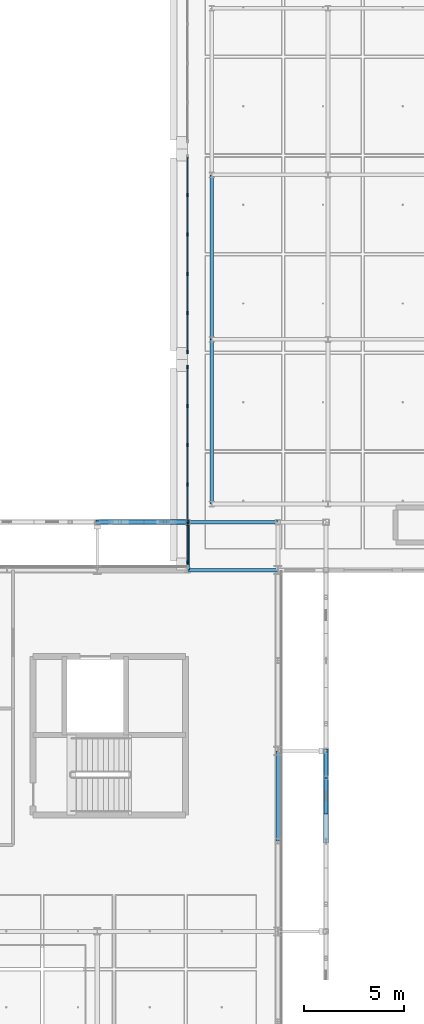
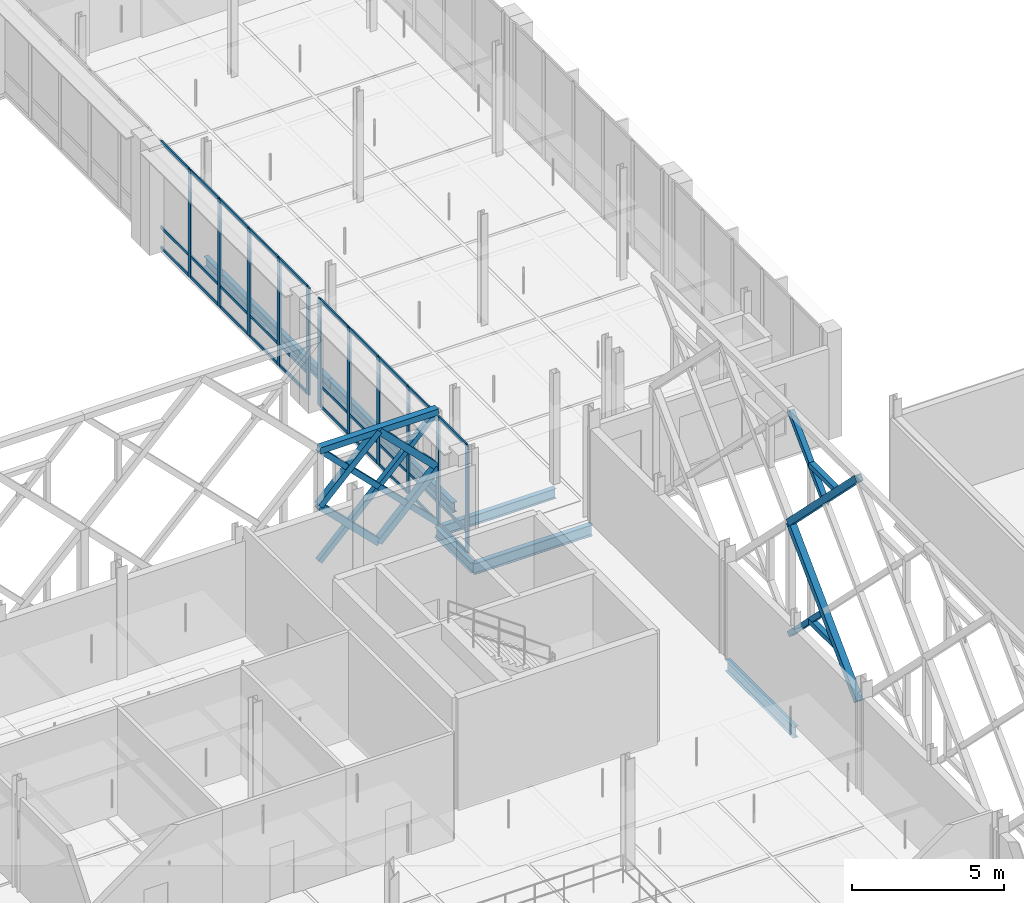
# One storey, part 41 of 140: 59 members, 6 beams, 2 elements without a shape of their own.
"""IFC4 building model written with IfcOpenShell, lengths in metres."""

from ifc_helpers import new_model, si_unit, direction, frame, origin, origin_2d, place, context, subcontext, project, spatial, rectangle, hollow_rectangle, i_section, extrude, material, material_profile, profile_set, type_object, element, aggregate, save


model = new_model("IFC4")

# Units and contexts
model_context = context("Model", 3, precision=1e-05, world=origin(), true_north=direction((0.0, 1.0)))
body_context = subcontext(model_context, "Body", "Model", "MODEL_VIEW")
ifc_project = project(units=[si_unit("LENGTHUNIT", "METRE"), si_unit("AREAUNIT", "SQUARE_METRE"), si_unit("VOLUMEUNIT", "CUBIC_METRE"), si_unit("PLANEANGLEUNIT", "RADIAN"), si_unit("MASSUNIT", "GRAM", prefix="KILO"), si_unit("THERMODYNAMICTEMPERATUREUNIT", "KELVIN"), si_unit("POWERUNIT", "WATT")], contexts=[model_context])

# Site, building, storey
site_placement = place(None, origin())
site = spatial("IfcSite", under=ifc_project, at=site_placement, CompositionType="ELEMENT")
building_placement = place(site_placement, origin())
building = spatial("IfcBuilding", under=site, at=building_placement, Name="Tallowbark Science Centre", CompositionType="ELEMENT")
storey_placement = place(building_placement, frame((0.0, 0.0, 9.89990234375)))
storey = spatial("IfcBuildingStorey", under=building, at=storey_placement, Name="L02", CompositionType="ELEMENT", Elevation=9.89990234375)

# Beams
ifc_material_1 = material(Name="Structural Steel Grade 300PLUS (300 MPa)", Category="steel")
ifc_material_profile_1 = material_profile(ifc_material_1, i_section(OverallWidth=0.177734375, OverallDepth=0.406494140625, WebThickness=0.0078125, FlangeThickness=0.0126953125, FilletRadius=0.011474609375, at=origin_2d()), Name="410UB59.7")
ifc_profile_set_1 = profile_set([ifc_material_profile_1], Name="Structural Steel Grade 300PLUS (300 MPa)")
beam_type_1 = type_object("IfcBeamType", Name="BM-UB410", PredefinedType="BEAM", material=ifc_profile_set_1)
beam_1_placement = place(storey_placement, frame((99.0, 42.89990234375, -0.383056640625), z_axis=(1.0, 0.0, 0.0), x_axis=(0.0, 1.0, 0.0)))
element("IfcBeam", 1, at=beam_1_placement, inside=storey, type_object=beam_type_1, Name="Primary Girder GRDX-L02-990-1035-429", PredefinedType="BEAM", context=body_context, shape_type="SweptSolid", body=[
    extrude(i_section(OverallWidth=0.177734375, OverallDepth=0.406494140625, WebThickness=0.0078125, FlangeThickness=0.0126953125, FilletRadius=0.011474609375, at=origin_2d()), origin(), (0.0, 0.0, 1.0), 4.5),
])
beam_2_placement = place(storey_placement, frame((99.0, 40.5, -0.383056640625), z_axis=(0.0, 1.0, 0.0), x_axis=(-1.0, 0.0, 0.0)))
element("IfcBeam", 2, at=beam_2_placement, inside=storey, type_object=beam_type_1, Name="Primary Girder GRDY-L02-990-405-429", PredefinedType="BEAM", context=body_context, shape_type="SweptSolid", body=[
    extrude(i_section(OverallWidth=0.177734375, OverallDepth=0.406494140625, WebThickness=0.0078125, FlangeThickness=0.0126953125, FilletRadius=0.011474609375, at=origin_2d()), origin(), (0.0, 0.0, 1.0), 2.39990234375),
])
for number, where, z_axis, x_axis, name in (
    (3, (100.199951171875, 43.800048828125, -0.383056640625), (0.0, 1.0, 0.0), (-1.0, 0.0, 0.0), "Primary Girder GRDY-L02-1002-438-520"),
    (4, (100.199951171875, 52.0, -0.383056640625), (0.0, 1.0, 0.0), (-1.0, 0.0, 0.0), "Primary Girder GRDY-L02-1002-520-602"),
):
    element("IfcBeam", number, at=place(storey_placement, frame(where, z_axis=z_axis, x_axis=x_axis)), inside=storey, type_object=beam_type_1, Name=name, PredefinedType="BEAM", context=body_context, shape_type="SweptSolid", body=[
        extrude(i_section(OverallWidth=0.177734375, OverallDepth=0.406494140625, WebThickness=0.0078125, FlangeThickness=0.0126953125, FilletRadius=0.011474609375, at=origin_2d()), origin(), (0.0, 0.0, 1.0), 8.199951171875),
    ])

# Curtain wall, members
ifc_material_2 = material(Name="Unitised Thermally Broken Aluminium and Low-E Double Glazing", Category="aluminium")
curtain_wall_type = type_object("IfcCurtainWallType", Name="CW-SYS-FACADE", PredefinedType="NOTDEFINED", material=ifc_material_2)
curtain_wall_1_placement = place(storey_placement, origin())
curtain_wall_1 = element("IfcCurtainWall", 5, at=curtain_wall_1_placement, inside=storey, type_object=curtain_wall_type, Name="Unitised Curtain Wall LNK-W-0 CW-L02-016", PredefinedType="NOTDEFINED")
ifc_material_3 = material(Name="Anodised Architectural Aluminium Alloy 6063-T6", Category="aluminium")
ifc_material_profile_2 = material_profile(ifc_material_3, rectangle(XDim=0.06494140625, YDim=0.179931640625, at=origin_2d()), Name="ALU65x180")
ifc_profile_set_2 = profile_set([ifc_material_profile_2], Name="Anodised Architectural Aluminium Alloy 6063-T6")
member_type_1 = type_object("IfcMemberType", Name="CWM-MUL-220", PredefinedType="MULLION", material=ifc_profile_set_2)
member_1_placement = place(storey_placement, frame((99.0, 50.617431640625, 0.0), z_axis=(0.0, 0.0, 1.0), x_axis=(1.0, 0.0, 0.0)))
member_1 = element("IfcMember", 6, at=member_1_placement, type_object=member_type_1, Name="CW-01 mullion 1", PredefinedType="MULLION", context=body_context, shape_type="SweptSolid", body=[
    extrude(rectangle(XDim=0.06494140625, YDim=0.179931640625, at=origin_2d()), origin(), (0.0, 0.0, 1.0), 4.320068359375),
])
member_2_placement = place(storey_placement, frame((99.0, 48.68994140625, 0.0), z_axis=(0.0, 0.0, 1.0), x_axis=(1.0, 0.0, 0.0)))
member_2 = element("IfcMember", 7, at=member_2_placement, type_object=member_type_1, Name="CW-01 mullion 2", PredefinedType="MULLION", context=body_context, shape_type="SweptSolid", body=[
    extrude(rectangle(XDim=0.06494140625, YDim=0.179931640625, at=origin_2d()), origin(), (0.0, 0.0, 1.0), 4.320068359375),
])
member_3_placement = place(storey_placement, frame((99.0, 46.72998046875, 0.0), z_axis=(0.0, 0.0, 1.0), x_axis=(1.0, 0.0, 0.0)))
member_3 = element("IfcMember", 8, at=member_3_placement, type_object=member_type_1, Name="CW-01 mullion 3", PredefinedType="MULLION", context=body_context, shape_type="SweptSolid", body=[
    extrude(rectangle(XDim=0.06494140625, YDim=0.179931640625, at=origin_2d()), origin(), (0.0, 0.0, 1.0), 4.320068359375),
])
member_4_placement = place(storey_placement, frame((99.0, 44.77001953125, 0.0), z_axis=(0.0, 0.0, 1.0), x_axis=(1.0, 0.0, 0.0)))
member_4 = element("IfcMember", 9, at=member_4_placement, type_object=member_type_1, Name="CW-01 mullion 4", PredefinedType="MULLION", context=body_context, shape_type="SweptSolid", body=[
    extrude(rectangle(XDim=0.06494140625, YDim=0.179931640625, at=origin_2d()), origin(), (0.0, 0.0, 1.0), 4.320068359375),
])
member_5_placement = place(storey_placement, frame((99.0, 42.81005859375, 0.0), z_axis=(0.0, 0.0, 1.0), x_axis=(1.0, 0.0, 0.0)))
member_5 = element("IfcMember", 10, at=member_5_placement, type_object=member_type_1, Name="CW-01 mullion 5", PredefinedType="MULLION", context=body_context, shape_type="SweptSolid", body=[
    extrude(rectangle(XDim=0.06494140625, YDim=0.179931640625, at=origin_2d()), origin(), (0.0, 0.0, 1.0), 4.320068359375),
])
member_6_placement = place(storey_placement, frame((99.0, 40.882568359375, 0.0), z_axis=(0.0, 0.0, 1.0), x_axis=(1.0, 0.0, 0.0)))
member_6 = element("IfcMember", 11, at=member_6_placement, type_object=member_type_1, Name="CW-01 mullion 6", PredefinedType="MULLION", context=body_context, shape_type="SweptSolid", body=[
    extrude(rectangle(XDim=0.06494140625, YDim=0.179931640625, at=origin_2d()), origin(), (0.0, 0.0, 1.0), 4.320068359375),
])

curtain_wall_2_placement = place(storey_placement, origin())
curtain_wall_2 = element("IfcCurtainWall", 12, at=curtain_wall_2_placement, inside=storey, type_object=curtain_wall_type, Name="Unitised Curtain Wall LNK-W-1 CW-L02-018", PredefinedType="NOTDEFINED")
member_7_placement = place(storey_placement, frame((99.0, 59.18994140625, 0.0), z_axis=(0.0, 0.0, 1.0), x_axis=(1.0, 0.0, 0.0)))
member_7 = element("IfcMember", 13, at=member_7_placement, type_object=member_type_1, Name="CW-01 mullion 2", PredefinedType="MULLION", context=body_context, shape_type="SweptSolid", body=[
    extrude(rectangle(XDim=0.06494140625, YDim=0.179931640625, at=origin_2d()), origin(), (0.0, 0.0, 1.0), 4.320068359375),
])
member_8_placement = place(storey_placement, frame((99.0, 57.22998046875, 0.0), z_axis=(0.0, 0.0, 1.0), x_axis=(1.0, 0.0, 0.0)))
member_8 = element("IfcMember", 14, at=member_8_placement, type_object=member_type_1, Name="CW-01 mullion 3", PredefinedType="MULLION", context=body_context, shape_type="SweptSolid", body=[
    extrude(rectangle(XDim=0.06494140625, YDim=0.179931640625, at=origin_2d()), origin(), (0.0, 0.0, 1.0), 4.320068359375),
])
member_9_placement = place(storey_placement, frame((99.0, 55.27001953125, 0.0), z_axis=(0.0, 0.0, 1.0), x_axis=(1.0, 0.0, 0.0)))
member_9 = element("IfcMember", 15, at=member_9_placement, type_object=member_type_1, Name="CW-01 mullion 4", PredefinedType="MULLION", context=body_context, shape_type="SweptSolid", body=[
    extrude(rectangle(XDim=0.06494140625, YDim=0.179931640625, at=origin_2d()), origin(), (0.0, 0.0, 1.0), 4.320068359375),
])
member_10_placement = place(storey_placement, frame((99.0, 53.31005859375, 0.0), z_axis=(0.0, 0.0, 1.0), x_axis=(1.0, 0.0, 0.0)))
member_10 = element("IfcMember", 16, at=member_10_placement, type_object=member_type_1, Name="CW-01 mullion 5", PredefinedType="MULLION", context=body_context, shape_type="SweptSolid", body=[
    extrude(rectangle(XDim=0.06494140625, YDim=0.179931640625, at=origin_2d()), origin(), (0.0, 0.0, 1.0), 4.320068359375),
])
member_11_placement = place(storey_placement, frame((99.0, 51.382568359375, 0.0), z_axis=(0.0, 0.0, 1.0), x_axis=(1.0, 0.0, 0.0)))
member_11 = element("IfcMember", 17, at=member_11_placement, type_object=member_type_1, Name="CW-01 mullion 6", PredefinedType="MULLION", context=body_context, shape_type="SweptSolid", body=[
    extrude(rectangle(XDim=0.06494140625, YDim=0.179931640625, at=origin_2d()), origin(), (0.0, 0.0, 1.0), 4.320068359375),
])

# Member
ifc_material_profile_3 = material_profile(ifc_material_3, rectangle(XDim=0.054931640625, YDim=0.1201171875, at=origin_2d()), Name="ALU55x120")
ifc_profile_set_3 = profile_set([ifc_material_profile_3], Name="Anodised Architectural Aluminium Alloy 6063-T6")
member_type_2 = type_object("IfcMemberType", Name="CWM-TRN-150", PredefinedType="USERDEFINED", material=ifc_profile_set_3)
member_12_placement = place(storey_placement, frame((99.0, 50.5849609375, 0.027587890625), z_axis=(0.0, -1.0, 0.0), x_axis=(1.0, 0.0, 0.0)))
member_12 = element("IfcMember", 18, at=member_12_placement, type_object=member_type_2, Name="CW-01 transom 1.1", ObjectType="TRANSOM", PredefinedType="USERDEFINED", context=body_context, shape_type="SweptSolid", body=[
    extrude(rectangle(XDim=0.054931640625, YDim=0.1201171875, at=origin_2d()), origin(), (0.0, 0.0, 1.0), 1.862548828125),
])

member_13_placement = place(storey_placement, frame((99.0, 50.5849609375, 0.85009765625), z_axis=(0.0, -1.0, 0.0), x_axis=(1.0, 0.0, 0.0)))
member_13 = element("IfcMember", 19, at=member_13_placement, type_object=member_type_2, Name="CW-01 transom 1.2", ObjectType="TRANSOM", PredefinedType="USERDEFINED", context=body_context, shape_type="SweptSolid", body=[
    extrude(rectangle(XDim=0.054931640625, YDim=0.1201171875, at=origin_2d()), origin(), (0.0, 0.0, 1.0), 1.862548828125),
])

member_14_placement = place(storey_placement, frame((99.0, 50.5849609375, 4.29248046875), z_axis=(0.0, -1.0, 0.0), x_axis=(1.0, 0.0, 0.0)))
member_14 = element("IfcMember", 20, at=member_14_placement, type_object=member_type_2, Name="CW-01 transom 1.3", ObjectType="TRANSOM", PredefinedType="USERDEFINED", context=body_context, shape_type="SweptSolid", body=[
    extrude(rectangle(XDim=0.054931640625, YDim=0.1201171875, at=origin_2d()), origin(), (0.0, 0.0, 1.0), 1.862548828125),
])

member_15_placement = place(storey_placement, frame((99.0, 48.657470703125, 0.027587890625), z_axis=(0.0, -1.0, 0.0), x_axis=(1.0, 0.0, 0.0)))
member_15 = element("IfcMember", 21, at=member_15_placement, type_object=member_type_2, Name="CW-01 transom 2.1", ObjectType="TRANSOM", PredefinedType="USERDEFINED", context=body_context, shape_type="SweptSolid", body=[
    extrude(rectangle(XDim=0.054931640625, YDim=0.1201171875, at=origin_2d()), origin(), (0.0, 0.0, 1.0), 1.89501953125),
])

member_16_placement = place(storey_placement, frame((99.0, 48.657470703125, 0.85009765625), z_axis=(0.0, -1.0, 0.0), x_axis=(1.0, 0.0, 0.0)))
member_16 = element("IfcMember", 22, at=member_16_placement, type_object=member_type_2, Name="CW-01 transom 2.2", ObjectType="TRANSOM", PredefinedType="USERDEFINED", context=body_context, shape_type="SweptSolid", body=[
    extrude(rectangle(XDim=0.054931640625, YDim=0.1201171875, at=origin_2d()), origin(), (0.0, 0.0, 1.0), 1.89501953125),
])

member_17_placement = place(storey_placement, frame((99.0, 48.657470703125, 4.29248046875), z_axis=(0.0, -1.0, 0.0), x_axis=(1.0, 0.0, 0.0)))
member_17 = element("IfcMember", 23, at=member_17_placement, type_object=member_type_2, Name="CW-01 transom 2.3", ObjectType="TRANSOM", PredefinedType="USERDEFINED", context=body_context, shape_type="SweptSolid", body=[
    extrude(rectangle(XDim=0.054931640625, YDim=0.1201171875, at=origin_2d()), origin(), (0.0, 0.0, 1.0), 1.89501953125),
])

member_18_placement = place(storey_placement, frame((99.0, 46.697509765625, 0.027587890625), z_axis=(0.0, -1.0, 0.0), x_axis=(1.0, 0.0, 0.0)))
member_18 = element("IfcMember", 24, at=member_18_placement, type_object=member_type_2, Name="CW-01 transom 3.1", ObjectType="TRANSOM", PredefinedType="USERDEFINED", context=body_context, shape_type="SweptSolid", body=[
    extrude(rectangle(XDim=0.054931640625, YDim=0.1201171875, at=origin_2d()), origin(), (0.0, 0.0, 1.0), 1.89501953125),
])

member_19_placement = place(storey_placement, frame((99.0, 46.697509765625, 0.85009765625), z_axis=(0.0, -1.0, 0.0), x_axis=(1.0, 0.0, 0.0)))
member_19 = element("IfcMember", 25, at=member_19_placement, type_object=member_type_2, Name="CW-01 transom 3.2", ObjectType="TRANSOM", PredefinedType="USERDEFINED", context=body_context, shape_type="SweptSolid", body=[
    extrude(rectangle(XDim=0.054931640625, YDim=0.1201171875, at=origin_2d()), origin(), (0.0, 0.0, 1.0), 1.89501953125),
])

member_20_placement = place(storey_placement, frame((99.0, 46.697509765625, 4.29248046875), z_axis=(0.0, -1.0, 0.0), x_axis=(1.0, 0.0, 0.0)))
member_20 = element("IfcMember", 26, at=member_20_placement, type_object=member_type_2, Name="CW-01 transom 3.3", ObjectType="TRANSOM", PredefinedType="USERDEFINED", context=body_context, shape_type="SweptSolid", body=[
    extrude(rectangle(XDim=0.054931640625, YDim=0.1201171875, at=origin_2d()), origin(), (0.0, 0.0, 1.0), 1.89501953125),
])

member_21_placement = place(storey_placement, frame((99.0, 44.737548828125, 0.027587890625), z_axis=(0.0, -1.0, 0.0), x_axis=(1.0, 0.0, 0.0)))
member_21 = element("IfcMember", 27, at=member_21_placement, type_object=member_type_2, Name="CW-01 transom 4.1", ObjectType="TRANSOM", PredefinedType="USERDEFINED", context=body_context, shape_type="SweptSolid", body=[
    extrude(rectangle(XDim=0.054931640625, YDim=0.1201171875, at=origin_2d()), origin(), (0.0, 0.0, 1.0), 1.89501953125),
])

member_22_placement = place(storey_placement, frame((99.0, 44.737548828125, 0.85009765625), z_axis=(0.0, -1.0, 0.0), x_axis=(1.0, 0.0, 0.0)))
member_22 = element("IfcMember", 28, at=member_22_placement, type_object=member_type_2, Name="CW-01 transom 4.2", ObjectType="TRANSOM", PredefinedType="USERDEFINED", context=body_context, shape_type="SweptSolid", body=[
    extrude(rectangle(XDim=0.054931640625, YDim=0.1201171875, at=origin_2d()), origin(), (0.0, 0.0, 1.0), 1.89501953125),
])

member_23_placement = place(storey_placement, frame((99.0, 44.737548828125, 4.29248046875), z_axis=(0.0, -1.0, 0.0), x_axis=(1.0, 0.0, 0.0)))
member_23 = element("IfcMember", 29, at=member_23_placement, type_object=member_type_2, Name="CW-01 transom 4.3", ObjectType="TRANSOM", PredefinedType="USERDEFINED", context=body_context, shape_type="SweptSolid", body=[
    extrude(rectangle(XDim=0.054931640625, YDim=0.1201171875, at=origin_2d()), origin(), (0.0, 0.0, 1.0), 1.89501953125),
])

member_24_placement = place(storey_placement, frame((99.0, 42.777587890625, 0.027587890625), z_axis=(0.0, -1.0, 0.0), x_axis=(1.0, 0.0, 0.0)))
member_24 = element("IfcMember", 30, at=member_24_placement, type_object=member_type_2, Name="CW-01 transom 5.1", ObjectType="TRANSOM", PredefinedType="USERDEFINED", context=body_context, shape_type="SweptSolid", body=[
    extrude(rectangle(XDim=0.054931640625, YDim=0.1201171875, at=origin_2d()), origin(), (0.0, 0.0, 1.0), 1.862548828125),
])

member_25_placement = place(storey_placement, frame((99.0, 42.777587890625, 0.85009765625), z_axis=(0.0, -1.0, 0.0), x_axis=(1.0, 0.0, 0.0)))
member_25 = element("IfcMember", 31, at=member_25_placement, type_object=member_type_2, Name="CW-01 transom 5.2", ObjectType="TRANSOM", PredefinedType="USERDEFINED", context=body_context, shape_type="SweptSolid", body=[
    extrude(rectangle(XDim=0.054931640625, YDim=0.1201171875, at=origin_2d()), origin(), (0.0, 0.0, 1.0), 1.862548828125),
])

member_26_placement = place(storey_placement, frame((99.0, 42.777587890625, 4.29248046875), z_axis=(0.0, -1.0, 0.0), x_axis=(1.0, 0.0, 0.0)))
member_26 = element("IfcMember", 32, at=member_26_placement, type_object=member_type_2, Name="CW-01 transom 5.3", ObjectType="TRANSOM", PredefinedType="USERDEFINED", context=body_context, shape_type="SweptSolid", body=[
    extrude(rectangle(XDim=0.054931640625, YDim=0.1201171875, at=origin_2d()), origin(), (0.0, 0.0, 1.0), 1.862548828125),
])

aggregate(curtain_wall_1, [member_1, member_2, member_3, member_4, member_5, member_6, member_12, member_13, member_14, member_15, member_16, member_17, member_18, member_19, member_20, member_21, member_22, member_23, member_24, member_25, member_26])

member_27_placement = place(storey_placement, frame((99.0, 61.0849609375, 0.027587890625), z_axis=(0.0, -1.0, 0.0), x_axis=(1.0, 0.0, 0.0)))
member_27 = element("IfcMember", 33, at=member_27_placement, type_object=member_type_2, Name="CW-01 transom 1.1", ObjectType="TRANSOM", PredefinedType="USERDEFINED", context=body_context, shape_type="SweptSolid", body=[
    extrude(rectangle(XDim=0.054931640625, YDim=0.1201171875, at=origin_2d()), origin(), (0.0, 0.0, 1.0), 1.862548828125),
])

member_28_placement = place(storey_placement, frame((99.0, 61.0849609375, 0.85009765625), z_axis=(0.0, -1.0, 0.0), x_axis=(1.0, 0.0, 0.0)))
member_28 = element("IfcMember", 34, at=member_28_placement, type_object=member_type_2, Name="CW-01 transom 1.2", ObjectType="TRANSOM", PredefinedType="USERDEFINED", context=body_context, shape_type="SweptSolid", body=[
    extrude(rectangle(XDim=0.054931640625, YDim=0.1201171875, at=origin_2d()), origin(), (0.0, 0.0, 1.0), 1.862548828125),
])

member_29_placement = place(storey_placement, frame((99.0, 61.0849609375, 4.29248046875), z_axis=(0.0, -1.0, 0.0), x_axis=(1.0, 0.0, 0.0)))
member_29 = element("IfcMember", 35, at=member_29_placement, type_object=member_type_2, Name="CW-01 transom 1.3", ObjectType="TRANSOM", PredefinedType="USERDEFINED", context=body_context, shape_type="SweptSolid", body=[
    extrude(rectangle(XDim=0.054931640625, YDim=0.1201171875, at=origin_2d()), origin(), (0.0, 0.0, 1.0), 1.862548828125),
])

member_30_placement = place(storey_placement, frame((99.0, 59.157470703125, 0.027587890625), z_axis=(0.0, -1.0, 0.0), x_axis=(1.0, 0.0, 0.0)))
member_30 = element("IfcMember", 36, at=member_30_placement, type_object=member_type_2, Name="CW-01 transom 2.1", ObjectType="TRANSOM", PredefinedType="USERDEFINED", context=body_context, shape_type="SweptSolid", body=[
    extrude(rectangle(XDim=0.054931640625, YDim=0.1201171875, at=origin_2d()), origin(), (0.0, 0.0, 1.0), 1.89501953125),
])

member_31_placement = place(storey_placement, frame((99.0, 59.157470703125, 0.85009765625), z_axis=(0.0, -1.0, 0.0), x_axis=(1.0, 0.0, 0.0)))
member_31 = element("IfcMember", 37, at=member_31_placement, type_object=member_type_2, Name="CW-01 transom 2.2", ObjectType="TRANSOM", PredefinedType="USERDEFINED", context=body_context, shape_type="SweptSolid", body=[
    extrude(rectangle(XDim=0.054931640625, YDim=0.1201171875, at=origin_2d()), origin(), (0.0, 0.0, 1.0), 1.89501953125),
])

member_32_placement = place(storey_placement, frame((99.0, 59.157470703125, 4.29248046875), z_axis=(0.0, -1.0, 0.0), x_axis=(1.0, 0.0, 0.0)))
member_32 = element("IfcMember", 38, at=member_32_placement, type_object=member_type_2, Name="CW-01 transom 2.3", ObjectType="TRANSOM", PredefinedType="USERDEFINED", context=body_context, shape_type="SweptSolid", body=[
    extrude(rectangle(XDim=0.054931640625, YDim=0.1201171875, at=origin_2d()), origin(), (0.0, 0.0, 1.0), 1.89501953125),
])

member_33_placement = place(storey_placement, frame((99.0, 57.197509765625, 0.027587890625), z_axis=(0.0, -1.0, 0.0), x_axis=(1.0, 0.0, 0.0)))
member_33 = element("IfcMember", 39, at=member_33_placement, type_object=member_type_2, Name="CW-01 transom 3.1", ObjectType="TRANSOM", PredefinedType="USERDEFINED", context=body_context, shape_type="SweptSolid", body=[
    extrude(rectangle(XDim=0.054931640625, YDim=0.1201171875, at=origin_2d()), origin(), (0.0, 0.0, 1.0), 1.89501953125),
])

member_34_placement = place(storey_placement, frame((99.0, 57.197509765625, 0.85009765625), z_axis=(0.0, -1.0, 0.0), x_axis=(1.0, 0.0, 0.0)))
member_34 = element("IfcMember", 40, at=member_34_placement, type_object=member_type_2, Name="CW-01 transom 3.2", ObjectType="TRANSOM", PredefinedType="USERDEFINED", context=body_context, shape_type="SweptSolid", body=[
    extrude(rectangle(XDim=0.054931640625, YDim=0.1201171875, at=origin_2d()), origin(), (0.0, 0.0, 1.0), 1.89501953125),
])

member_35_placement = place(storey_placement, frame((99.0, 57.197509765625, 4.29248046875), z_axis=(0.0, -1.0, 0.0), x_axis=(1.0, 0.0, 0.0)))
member_35 = element("IfcMember", 41, at=member_35_placement, type_object=member_type_2, Name="CW-01 transom 3.3", ObjectType="TRANSOM", PredefinedType="USERDEFINED", context=body_context, shape_type="SweptSolid", body=[
    extrude(rectangle(XDim=0.054931640625, YDim=0.1201171875, at=origin_2d()), origin(), (0.0, 0.0, 1.0), 1.89501953125),
])

member_36_placement = place(storey_placement, frame((99.0, 55.237548828125, 0.027587890625), z_axis=(0.0, -1.0, 0.0), x_axis=(1.0, 0.0, 0.0)))
member_36 = element("IfcMember", 42, at=member_36_placement, type_object=member_type_2, Name="CW-01 transom 4.1", ObjectType="TRANSOM", PredefinedType="USERDEFINED", context=body_context, shape_type="SweptSolid", body=[
    extrude(rectangle(XDim=0.054931640625, YDim=0.1201171875, at=origin_2d()), origin(), (0.0, 0.0, 1.0), 1.89501953125),
])

member_37_placement = place(storey_placement, frame((99.0, 55.237548828125, 0.85009765625), z_axis=(0.0, -1.0, 0.0), x_axis=(1.0, 0.0, 0.0)))
member_37 = element("IfcMember", 43, at=member_37_placement, type_object=member_type_2, Name="CW-01 transom 4.2", ObjectType="TRANSOM", PredefinedType="USERDEFINED", context=body_context, shape_type="SweptSolid", body=[
    extrude(rectangle(XDim=0.054931640625, YDim=0.1201171875, at=origin_2d()), origin(), (0.0, 0.0, 1.0), 1.89501953125),
])

member_38_placement = place(storey_placement, frame((99.0, 55.237548828125, 4.29248046875), z_axis=(0.0, -1.0, 0.0), x_axis=(1.0, 0.0, 0.0)))
member_38 = element("IfcMember", 44, at=member_38_placement, type_object=member_type_2, Name="CW-01 transom 4.3", ObjectType="TRANSOM", PredefinedType="USERDEFINED", context=body_context, shape_type="SweptSolid", body=[
    extrude(rectangle(XDim=0.054931640625, YDim=0.1201171875, at=origin_2d()), origin(), (0.0, 0.0, 1.0), 1.89501953125),
])

member_39_placement = place(storey_placement, frame((99.0, 53.277587890625, 0.027587890625), z_axis=(0.0, -1.0, 0.0), x_axis=(1.0, 0.0, 0.0)))
member_39 = element("IfcMember", 45, at=member_39_placement, type_object=member_type_2, Name="CW-01 transom 5.1", ObjectType="TRANSOM", PredefinedType="USERDEFINED", context=body_context, shape_type="SweptSolid", body=[
    extrude(rectangle(XDim=0.054931640625, YDim=0.1201171875, at=origin_2d()), origin(), (0.0, 0.0, 1.0), 1.862548828125),
])

member_40_placement = place(storey_placement, frame((99.0, 53.277587890625, 0.85009765625), z_axis=(0.0, -1.0, 0.0), x_axis=(1.0, 0.0, 0.0)))
member_40 = element("IfcMember", 46, at=member_40_placement, type_object=member_type_2, Name="CW-01 transom 5.2", ObjectType="TRANSOM", PredefinedType="USERDEFINED", context=body_context, shape_type="SweptSolid", body=[
    extrude(rectangle(XDim=0.054931640625, YDim=0.1201171875, at=origin_2d()), origin(), (0.0, 0.0, 1.0), 1.862548828125),
])

member_41_placement = place(storey_placement, frame((99.0, 53.277587890625, 4.29248046875), z_axis=(0.0, -1.0, 0.0), x_axis=(1.0, 0.0, 0.0)))
member_41 = element("IfcMember", 47, at=member_41_placement, type_object=member_type_2, Name="CW-01 transom 5.3", ObjectType="TRANSOM", PredefinedType="USERDEFINED", context=body_context, shape_type="SweptSolid", body=[
    extrude(rectangle(XDim=0.054931640625, YDim=0.1201171875, at=origin_2d()), origin(), (0.0, 0.0, 1.0), 1.862548828125),
])

aggregate(curtain_wall_2, [member_7, member_8, member_9, member_10, member_11, member_27, member_28, member_29, member_30, member_31, member_32, member_33, member_34, member_35, member_36, member_37, member_38, member_39, member_40, member_41])

# Members
ifc_material_4 = material(Name="White Architectural Painted Steel Grade C350L0 (350 MPa)", Category="steel")
ifc_material_profile_4 = material_profile(ifc_material_4, hollow_rectangle(XDim=0.25, YDim=0.25, WallThickness=0.009033203125, at=origin_2d()), Name="250x250x9.0SHS")
ifc_profile_set_4 = profile_set([ifc_material_profile_4], Name="White Architectural Painted Steel Grade C350L0 (350 MPa)")
member_type_3 = type_object("IfcMemberType", Name="SCR-CHD200", PredefinedType="CHORD", material=ifc_profile_set_4)
member_42_placement = place(storey_placement, frame((94.5, 42.89990234375, 4.5), z_axis=(1.0, 0.0, 0.0), x_axis=(0.0, 1.0, 0.0)))
element("IfcMember", 48, at=member_42_placement, inside=storey, type_object=member_type_3, Name="Star Screen Frame Chord N-26", PredefinedType="CHORD", context=body_context, shape_type="SweptSolid", body=[
    extrude(hollow_rectangle(XDim=0.25, YDim=0.25, WallThickness=0.009033203125, at=origin_2d()), origin(), (0.0, 0.0, 1.0), 4.5),
])
for number, where, z_axis, x_axis, name in (
    (49, (96.75, 42.89990234375, 0.0), (0.707106781187, 0.0, 0.707106781187), (0.0, 1.0, 0.0), "Star Screen Octagram Diamond Chord N-26-1"),
    (50, (99.0, 42.89990234375, 2.25), (-0.707106781187, 0.0, 0.707106781187), (0.0, -1.0, 0.0), "Star Screen Octagram Diamond Chord N-26-2"),
    (51, (96.75, 42.89990234375, 4.5), (-0.707106781187, 0.0, -0.707106781187), (0.0, -1.0, 0.0), "Star Screen Octagram Diamond Chord N-26-3"),
    (52, (94.5, 42.89990234375, 2.25), (0.707106781187, 0.0, -0.707106781187), (0.0, 1.0, 0.0), "Star Screen Octagram Diamond Chord N-26-4"),
):
    element("IfcMember", number, at=place(storey_placement, frame(where, z_axis=z_axis, x_axis=x_axis)), inside=storey, type_object=member_type_3, Name=name, PredefinedType="CHORD", context=body_context, shape_type="SweptSolid", body=[
        extrude(hollow_rectangle(XDim=0.25, YDim=0.25, WallThickness=0.009033203125, at=origin_2d()), origin(), (0.0, 0.0, 1.0), 3.181884765625),
    ])
for number, where, z_axis, x_axis, name in (
    (53, (105.89990234375, 27.0, 0.0), (0.0, 0.707106781187, 0.707106781187), (-1.0, 0.0, 0.0), "Star Screen Octagram Diamond Chord E-33-1"),
    (54, (105.89990234375, 31.5, 4.5), (0.0, -0.707106781187, 0.707106781187), (1.0, 0.0, 0.0), "Star Screen Octagram Diamond Chord E-33-2"),
):
    element("IfcMember", number, at=place(storey_placement, frame(where, z_axis=z_axis, x_axis=x_axis)), inside=storey, type_object=member_type_3, Name=name, PredefinedType="CHORD", context=body_context, shape_type="SweptSolid", body=[
        extrude(hollow_rectangle(XDim=0.25, YDim=0.25, WallThickness=0.009033203125, at=origin_2d()), origin(), (0.0, 0.0, 1.0), 6.364013671875),
    ])
ifc_material_profile_5 = material_profile(ifc_material_4, hollow_rectangle(XDim=0.199951171875, YDim=0.199951171875, WallThickness=0.009033203125, at=origin_2d()), Name="200x200x9.0SHS")
ifc_profile_set_5 = profile_set([ifc_material_profile_5], Name="White Architectural Painted Steel Grade C350L0 (350 MPa)")
member_type_4 = type_object("IfcMemberType", Name="SCR-STAR139", PredefinedType="BRACE", material=ifc_profile_set_5)
member_43_placement = place(storey_placement, frame((94.5, 42.89990234375, 0.0), z_axis=(0.707106781187, 0.0, 0.707106781187), x_axis=(0.0, 1.0, 0.0)))
element("IfcMember", 55, at=member_43_placement, inside=storey, type_object=member_type_4, Name="Star Screen Continuous X-Diagonal D1A N-26", PredefinedType="BRACE", context=body_context, shape_type="SweptSolid", body=[
    extrude(hollow_rectangle(XDim=0.199951171875, YDim=0.199951171875, WallThickness=0.009033203125, at=origin_2d()), origin(), (0.0, 0.0, 1.0), 1.591064453125),
])
member_44_placement = place(storey_placement, frame((95.625, 42.89990234375, 1.125), z_axis=(0.707106781187, 0.0, 0.707106781187), x_axis=(0.0, 1.0, 0.0)))
element("IfcMember", 56, at=member_44_placement, inside=storey, type_object=member_type_4, Name="Star Screen Continuous X-Diagonal D1M N-26", PredefinedType="BRACE", context=body_context, shape_type="SweptSolid", body=[
    extrude(hollow_rectangle(XDim=0.199951171875, YDim=0.199951171875, WallThickness=0.009033203125, at=origin_2d()), origin(), (0.0, 0.0, 1.0), 3.181884765625),
])
for number, where, z_axis, x_axis, name in (
    (57, (97.875, 42.89990234375, 3.375), (0.707106781187, 0.0, 0.707106781187), (0.0, 1.0, 0.0), "Star Screen Continuous X-Diagonal D1B N-26"),
    (58, (94.5, 42.89990234375, 4.5), (0.707106781187, 0.0, -0.707106781187), (0.0, 1.0, 0.0), "Star Screen Split X-Diagonal D2A N-26"),
    (59, (95.625, 42.89990234375, 3.375), (0.707106781187, 0.0, -0.707106781187), (0.0, 1.0, 0.0), "Star Screen Split X-Diagonal D2B N-26"),
    (60, (96.75, 42.89990234375, 2.25), (0.707106781187, 0.0, -0.707106781187), (0.0, 1.0, 0.0), "Star Screen Split X-Diagonal D2C N-26"),
    (61, (97.875, 42.89990234375, 1.125), (0.707106781187, 0.0, -0.707106781187), (0.0, 1.0, 0.0), "Star Screen Split X-Diagonal D2D N-26"),
):
    element("IfcMember", number, at=place(storey_placement, frame(where, z_axis=z_axis, x_axis=x_axis)), inside=storey, type_object=member_type_4, Name=name, PredefinedType="BRACE", context=body_context, shape_type="SweptSolid", body=[
        extrude(hollow_rectangle(XDim=0.199951171875, YDim=0.199951171875, WallThickness=0.009033203125, at=origin_2d()), origin(), (0.0, 0.0, 1.0), 1.591064453125),
    ])
for number, where, z_axis, x_axis, name in (
    (62, (105.89990234375, 29.25, 6.75), (0.0, 0.707106781187, 0.707106781187), (-1.0, 0.0, 0.0), "Star Screen Continuous X-Diagonal D1B E-33"),
    (63, (105.89990234375, 29.25, 2.25), (0.0, 0.707106781187, -0.707106781187), (-1.0, 0.0, 0.0), "Star Screen Split X-Diagonal D2D E-33"),
):
    element("IfcMember", number, at=place(storey_placement, frame(where, z_axis=z_axis, x_axis=x_axis)), inside=storey, type_object=member_type_4, Name=name, PredefinedType="BRACE", context=body_context, shape_type="SweptSolid", body=[
        extrude(hollow_rectangle(XDim=0.199951171875, YDim=0.199951171875, WallThickness=0.009033203125, at=origin_2d()), origin(), (0.0, 0.0, 1.0), 3.181884765625),
    ])
ifc_material_profile_6 = material_profile(ifc_material_4, hollow_rectangle(XDim=0.199951171875, YDim=0.199951171875, WallThickness=0.009033203125, at=origin_2d()), Name="200x200x9.0SHS")
ifc_profile_set_6 = profile_set([ifc_material_profile_6], Name="White Architectural Painted Steel Grade C350L0 (350 MPa)")
member_type_5 = type_object("IfcMemberType", Name="SCR-SUB150", PredefinedType="BRACE", material=ifc_profile_set_6)
for number, where, z_axis, x_axis, name in (
    (64, (105.89990234375, 30.14990234375, 1.35009765625), (0.0, -1.0, 0.0), (1.0, 0.0, 0.0), "Star Screen Octagram Point Ray E-33-3"),
    (65, (105.89990234375, 30.14990234375, 7.650146484375), (0.0, -1.0, 0.0), (1.0, 0.0, 0.0), "Star Screen Octagram Point Ray E-33-5"),
):
    element("IfcMember", number, at=place(storey_placement, frame(where, z_axis=z_axis, x_axis=x_axis)), inside=storey, type_object=member_type_5, Name=name, PredefinedType="BRACE", context=body_context, shape_type="SweptSolid", body=[
        extrude(hollow_rectangle(XDim=0.199951171875, YDim=0.199951171875, WallThickness=0.009033203125, at=origin_2d()), origin(), (0.0, 0.0, 1.0), 1.7998046875),
    ])

# Beams
ifc_material_profile_7 = material_profile(ifc_material_1, i_section(OverallWidth=0.18994140625, OverallDepth=0.453857421875, WebThickness=0.008544921875, FlangeThickness=0.0126953125, FilletRadius=0.011474609375, at=origin_2d()), Name="460UB67.1")
ifc_profile_set_7 = profile_set([ifc_material_profile_7], Name="Structural Steel Grade 300PLUS (300 MPa)")
beam_type_2 = type_object("IfcBeamType", Name="SPN-UB460", PredefinedType="SPANDREL", material=ifc_profile_set_7)
for number, where, z_axis, x_axis, name in (
    (66, (99.0, 40.5, -0.40673828125), (1.0, 0.0, 0.0), (0.0, 1.0, 0.0), "Primary Girder GRDX-L02-990-1035-405"),
    (67, (103.5, 27.0, -0.40673828125), (0.0, 1.0, 0.0), (-1.0, 0.0, 0.0), "Primary Girder GRDY-L02-1035-270-315"),
):
    element("IfcBeam", number, at=place(storey_placement, frame(where, z_axis=z_axis, x_axis=x_axis)), inside=storey, type_object=beam_type_2, Name=name, PredefinedType="SPANDREL", context=body_context, shape_type="SweptSolid", body=[
        extrude(i_section(OverallWidth=0.18994140625, OverallDepth=0.453857421875, WebThickness=0.008544921875, FlangeThickness=0.0126953125, FilletRadius=0.011474609375, at=origin_2d()), origin(), (0.0, 0.0, 1.0), 4.5),
    ])

save(model, "model.ifc")
